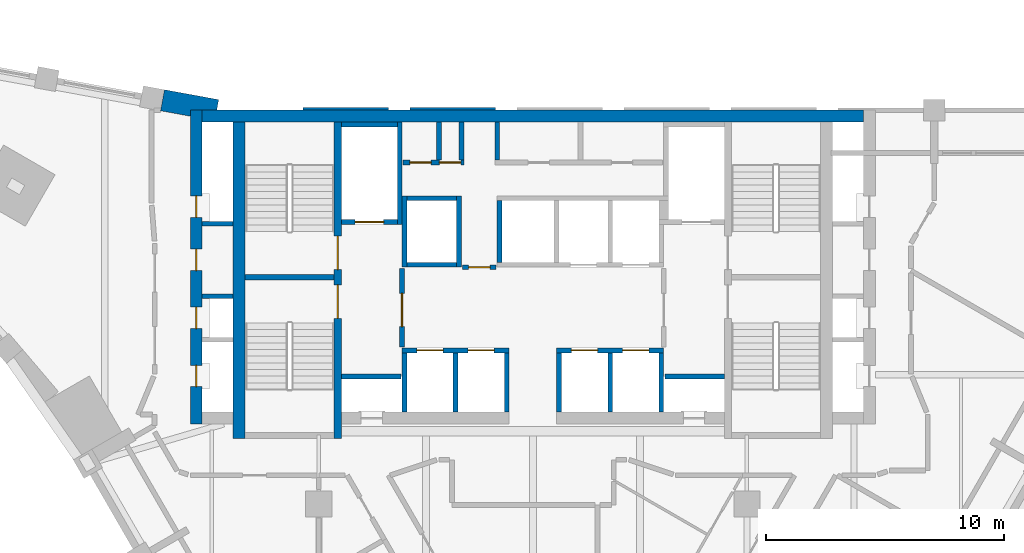
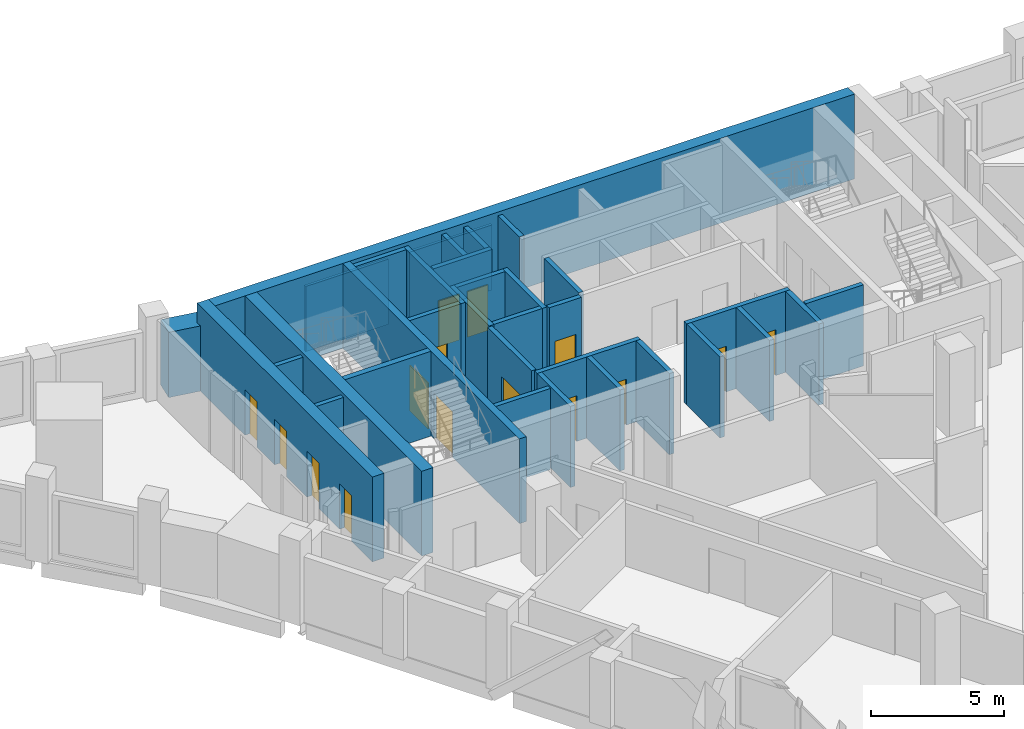
# One storey, part 6 of 9: 34 walls, 15 doors, 15 openings.
"""IFC4 building model written with IfcOpenShell, lengths in metres."""

import ifcopenshell
import ifcopenshell.guid

model = None  # the IFC model being written
_history = None  # IfcOwnerHistory: only IFC2X3 demands one
_inside = {}  # id of a spatial element -> (the spatial element, [elements in it])
_under = {}  # id of a project, library or spatial element -> (it, [spatial elements below it])
_declared = {}  # id of a project -> (the project, [libraries it declares])
_typed = {}  # id of a type object -> (the type object, [elements of that type])
_made_of = {}  # id of a material, layer set ... -> (it, [elements and type objects made of it])


def new_model(schema):
    """Start an empty IFC model of exactly this schema.

    Asked for "IFC4X3", IfcOpenShell would pick the latest addendum, in which some entities
    have other attributes; the version numbers below select the first issue.
    IFC2X3 requires an IfcOwnerHistory on every rooted entity: one is made here for all.
    """
    global model, _history
    if schema == "IFC4X3":
        model = ifcopenshell.file(schema_version=(4, 3, 0, 0))
    else:
        model = ifcopenshell.file(schema=schema)
    _inside.clear()
    _under.clear()
    _declared.clear()
    _typed.clear()
    _made_of.clear()
    _history = None
    if model.schema == "IFC2X3":
        org = make("IfcOrganization", Name="unknown")
        user = make(
            "IfcPersonAndOrganization",
            ThePerson=make("IfcPerson", FamilyName="unknown"),
            TheOrganization=org,
        )
        app = make(
            "IfcApplication",
            ApplicationDeveloper=org,
            Version="unknown",
            ApplicationFullName="unknown",
            ApplicationIdentifier="unknown",
        )
        _history = make(
            "IfcOwnerHistory",
            OwningUser=user,
            OwningApplication=app,
            ChangeAction="ADDED",
            CreationDate=0,
        )
    return model


def make(cls, **values):
    """One entity of the class cls with the attributes given. An attribute that is None is left unset."""
    return model.create_entity(
        cls, **{name: value for name, value in values.items() if value is not None}
    )


def rooted(cls, **values):
    """An entity with a GlobalId (a new one), such as an element, a storey or a relation."""
    return make(cls, GlobalId=ifcopenshell.guid.new(), OwnerHistory=_history, **values)


def si_unit(unit_type, name, prefix=None):
    """IfcSIUnit, for example si_unit("LENGTHUNIT", "METRE", prefix="MILLI")."""
    return make("IfcSIUnit", UnitType=unit_type, Prefix=prefix, Name=name)


def assignment(units):
    """IfcUnitAssignment: the units of a project."""
    return None if units is None else make("IfcUnitAssignment", Units=units)


def point(xyz):
    """IfcCartesianPoint."""
    return None if xyz is None else make("IfcCartesianPoint", Coordinates=xyz)


def direction(xyz):
    """IfcDirection."""
    return None if xyz is None else make("IfcDirection", DirectionRatios=xyz)


def frame(location, z_axis=None, x_axis=None):
    """IfcAxis2Placement3D, a coordinate frame: its origin and axes. An axis left out is left unset."""
    return make(
        "IfcAxis2Placement3D",
        Location=point(location),
        Axis=direction(z_axis),
        RefDirection=direction(x_axis),
    )


def frame_2d(location, x_axis=None):
    """IfcAxis2Placement2D, a coordinate frame in the plane: its origin and x axis."""
    return make(
        "IfcAxis2Placement2D", Location=point(location), RefDirection=direction(x_axis)
    )


def origin():
    """The frame at (0, 0, 0) with its axes left unset."""
    return frame((0.0, 0.0, 0.0))


def place(relative_to, where):
    """IfcLocalPlacement: puts the frame where relative to a parent placement (None: the world)."""
    return make(
        "IfcLocalPlacement", PlacementRelTo=relative_to, RelativePlacement=where
    )


def context(
    kind, dimensions, precision=None, world=None, true_north=None, identifier=None
):
    """IfcGeometricRepresentationContext, for example the 3D "Model" context."""
    return make(
        "IfcGeometricRepresentationContext",
        ContextIdentifier=identifier,
        ContextType=kind,
        CoordinateSpaceDimension=dimensions,
        Precision=precision,
        WorldCoordinateSystem=world,
        TrueNorth=true_north,
    )


def subcontext(parent, identifier, kind, view, scale=None):
    """IfcGeometricRepresentationSubContext, for example "Body" below "Model"."""
    return make(
        "IfcGeometricRepresentationSubContext",
        ContextIdentifier=identifier,
        ContextType=kind,
        ParentContext=parent,
        TargetScale=scale,
        TargetView=view,
    )


def project(units=None, contexts=None):
    """IfcProject with its units and contexts."""
    return rooted(
        "IfcProject",
        Name="project",
        RepresentationContexts=contexts,
        UnitsInContext=assignment(units),
    )


def spatial(cls, under=None, at=None, **own):
    """A site, building, storey or space (cls), placed at a placement, below another one or the project."""
    s = rooted(cls, ObjectPlacement=at, **own)
    if under is not None:
        _under.setdefault(under.id(), (under, []))[1].append(s)
    return s


def polyline(points):
    """IfcPolyline through the points."""
    return make("IfcPolyline", Points=[point(p) for p in points])


def profile(cls, at=None, kind="AREA", **sizes):
    """A parametric profile (cls). Its sizes go by their IFC names, for example OverallWidth=200.0."""
    return make(cls, ProfileType=kind, Position=at, **sizes)


def rectangle(**sizes):
    """IfcRectangleProfileDef."""
    return profile("IfcRectangleProfileDef", **sizes)


def outline(outer, holes=None, kind="AREA"):
    """IfcArbitraryClosedProfileDef: a profile drawn as a closed curve; with holes, ...WithVoids."""
    if holes is None:
        return make("IfcArbitraryClosedProfileDef", ProfileType=kind, OuterCurve=outer)
    return make(
        "IfcArbitraryProfileDefWithVoids",
        ProfileType=kind,
        OuterCurve=outer,
        InnerCurves=holes,
    )


def extrude(swept, where, along, depth):
    """IfcExtrudedAreaSolid: the profile swept, set in the frame where, extruded along a direction by depth."""
    return make(
        "IfcExtrudedAreaSolid",
        SweptArea=swept,
        Position=where,
        ExtrudedDirection=direction(along),
        Depth=depth,
    )


def shape(context_of_items, identifier, shape_type, items):
    """IfcShapeRepresentation: the items that make up one representation, for example the "Body"."""
    return make(
        "IfcShapeRepresentation",
        ContextOfItems=context_of_items,
        RepresentationIdentifier=identifier,
        RepresentationType=shape_type,
        Items=items,
    )


def material(Name=None, Category=None):
    """IfcMaterial."""
    return make("IfcMaterial", Name=Name, Category=Category)


def layer(
    of_material, thickness, ventilated=None, Name=None, Category=None, Priority=None
):
    """IfcMaterialLayer: one layer of a wall or slab, of a material (None: an air gap)."""
    return make(
        "IfcMaterialLayer",
        Material=of_material,
        LayerThickness=thickness,
        IsVentilated=ventilated,
        Name=Name,
        Category=Category,
        Priority=Priority,
    )


def layer_set(layers, Name=None):
    """IfcMaterialLayerSet."""
    return make("IfcMaterialLayerSet", MaterialLayers=layers, LayerSetName=Name)


def made_of(thing, what):
    """Note that an element or type object is made of a material, layer set ...; save() writes the relation."""
    if what is not None:
        _made_of.setdefault(what.id(), (what, []))[1].append(thing)
    return thing


def type_object(cls, material=None, **own):
    """A type object (cls), such as IfcWallType, which elements share."""
    return made_of(rooted(cls, **own), material)


def element(
    cls,
    number,
    at=None,
    inside=None,
    cuts=None,
    type_object=None,
    material=None,
    context=None,
    identifier="Body",
    shape_type=None,
    held_by="IfcProductDefinitionShape",
    body=None,
    shapes=None,
    **own,
):
    """One element of the class cls, such as IfcWall. Its Tag is "e" and its number.

    at: its placement. inside: the storey or other place that contains it. cuts: it is an
    opening in that element (IfcRelVoidsElement). A single representation is given by context,
    identifier, shape_type and body (its items); several are given by shapes. held_by: the class
    of the entity that holds the representations. save() writes the other relations.
    """
    e = rooted(cls, Tag="e%d" % number, ObjectPlacement=at, **own)
    if body is not None:
        shapes = [shape(context, identifier, shape_type, body)]
    if shapes is not None:
        e.Representation = make(held_by, Representations=shapes)
    if inside is not None:
        _inside.setdefault(inside.id(), (inside, []))[1].append(e)
    if cuts is not None:
        rooted(
            "IfcRelVoidsElement", RelatingBuildingElement=cuts, RelatedOpeningElement=e
        )
    if type_object is not None:
        _typed.setdefault(type_object.id(), (type_object, []))[1].append(e)
    return made_of(e, material)


def fill(opening, filler):
    """IfcRelFillsElement: the door or window that sits in an opening."""
    return rooted(
        "IfcRelFillsElement",
        RelatingOpeningElement=opening,
        RelatedBuildingElement=filler,
    )


def aggregate(whole, parts):
    """IfcRelAggregates: a whole, such as a stair, and the parts it consists of."""
    return rooted("IfcRelAggregates", RelatingObject=whole, RelatedObjects=parts)


def save(model, path):
    """Write the relations noted so far, then the file.

    IfcRelAggregates (storeys below a building ...), IfcRelContainedInSpatialStructure (elements
    in a storey), IfcRelDefinesByType, IfcRelAssociatesMaterial and IfcRelDeclares: one each for
    every whole, place, type object, material and project.
    """
    for whole, parts in _under.values():
        aggregate(whole, parts)
    for where, things in _inside.values():
        rooted(
            "IfcRelContainedInSpatialStructure",
            RelatedElements=things,
            RelatingStructure=where,
        )
    for kind, things in _typed.values():
        rooted("IfcRelDefinesByType", RelatedObjects=things, RelatingType=kind)
    for what, things in _made_of.values():
        rooted("IfcRelAssociatesMaterial", RelatedObjects=things, RelatingMaterial=what)
    for by, libraries in _declared.values():
        rooted("IfcRelDeclares", RelatingContext=by, RelatedDefinitions=libraries)
    model.write(path)


model = new_model("IFC4")

# Units and contexts
model_context = context("Model", 3, precision=1e-05, world=origin(), true_north=direction((0.0, 1.0)))
body_context = subcontext(model_context, "Body", "Model", "MODEL_VIEW")
ifc_project = project(units=[si_unit("LENGTHUNIT", "METRE"), si_unit("AREAUNIT", "SQUARE_METRE"), si_unit("VOLUMEUNIT", "CUBIC_METRE"), si_unit("PLANEANGLEUNIT", "RADIAN"), si_unit("MASSUNIT", "GRAM", prefix="KILO")], contexts=[model_context])

# Site, building, storey
site_placement = place(None, origin())
site = spatial("IfcSite", under=ifc_project, at=site_placement, CompositionType="ELEMENT")
building_placement = place(site_placement, origin())
building = spatial("IfcBuilding", under=site, at=building_placement, Name="Calabash Gate Tower", CompositionType="ELEMENT")
storey_placement = place(building_placement, frame((0.0, 0.0, 204.199951171875)))
storey = spatial("IfcBuildingStorey", under=building, at=storey_placement, Name="L48", CompositionType="ELEMENT", Elevation=204.199951171875)

# Walls
ifc_material_1 = material(Name="Terracotta brick masonry, exposed face", Category="masonry")
ifc_layer_1 = layer(ifc_material_1, 0.89990234375)
ifc_layer_set_1 = layer_set([ifc_layer_1], Name="Brick end wall 900")
wall_type_1 = type_object("IfcWallType", Name="Brick end wall 900", PredefinedType="SOLIDWALL", material=ifc_layer_set_1)
wall_1_placement = place(storey_placement, origin())
element("IfcWall", 1, at=wall_1_placement, inside=storey, type_object=wall_type_1, Name="Brick end wall S13 1", PredefinedType="SOLIDWALL", context=body_context, shape_type="SweptSolid", body=[
    extrude(outline(polyline([(-15.651611328125, 19.02734375), (-15.65185546875, 19.027099609375), (-14.39990234375, 18.798095703125), (-14.39990234375, 19.052490234375), (-13.291015625, 19.052490234375), (-13.2099609375, 19.4951171875), (-15.489501953125, 19.912353515625), (-15.6513671875, 19.02734375), (-15.651611328125, 19.02734375)])), origin(), (0.0, 0.0, 1.0), 3.0),
])
ifc_material_2 = material(Name="Gypsum board on steel studs, mineral wool", Category="steel")
ifc_layer_2 = layer(ifc_material_2, 0.199951171875)
ifc_layer_set_2 = layer_set([ifc_layer_2], Name="Core partition 200 gypsum board")
wall_type_2 = type_object("IfcWallType", Name="Core partition 200 gypsum board", PredefinedType="PARTITIONING", material=ifc_layer_set_2)
for number, where, z_axis, x_axis, name in (
    (2, (-3.949951171875, 16.95263671875, 0.0), (0.0, 0.0, 1.0), (0.0, 1.0, 0.0), "Core partition"),
    (3, (-3.0, 16.95263671875, 0.0), (0.0, 0.0, 1.0), (0.0, 1.0, 0.0), "Core partition"),
    (4, (-1.5, 16.95263671875, 0.0), (0.0, 0.0, 1.0), (0.0, 1.0, 0.0), "Core partition"),
):
    element("IfcWall", number, at=place(storey_placement, frame(where, z_axis=z_axis, x_axis=x_axis)), inside=storey, type_object=wall_type_2, Name=name, PredefinedType="PARTITIONING", context=body_context, shape_type="SweptSolid", body=[
        extrude(rectangle(XDim=1.599853515625, YDim=0.199951171875, at=frame_2d((0.7998046875, 0.0))), origin(), (0.0, 0.0, 1.0), 3.72998046875),
    ])
ifc_material_3 = material(Name="Concrete C70/85", Category="concrete")
ifc_layer_3 = layer(ifc_material_3, 0.25)
ifc_layer_set_3 = layer_set([ifc_layer_3], Name="Core wall 250 Concrete C70/85")
wall_type_3 = type_object("IfcWallType", Name="Core wall 250 Concrete C70/85", PredefinedType="SHEAR", material=ifc_layer_set_3)
wall_2_placement = place(storey_placement, frame((-12.10009765625, 12.027587890625, 0.0), z_axis=(0.0, 0.0, 1.0), x_axis=(1.0, 0.0, 0.0)))
element("IfcWall", 5, at=wall_2_placement, inside=storey, type_object=wall_type_3, Name="Core wall Z4-MIDW L48", PredefinedType="SHEAR", context=body_context, shape_type="SweptSolid", body=[
    extrude(rectangle(XDim=3.75, YDim=0.25, at=frame_2d((1.875, 0.0))), origin(), (0.0, 0.0, 1.0), 3.900146484375),
])

# Wall, openings, doors
ifc_material_4 = material(Name="Concrete C70/85", Category="concrete")
ifc_layer_4 = layer(ifc_material_4, 0.300048828125)
ifc_layer_set_4 = layer_set([ifc_layer_4], Name="Core wall 300 Concrete C70/85")
wall_type_4 = type_object("IfcWallType", Name="Core wall 300 Concrete C70/85", PredefinedType="SHEAR", material=ifc_layer_set_4)
wall_3_placement = place(storey_placement, frame((-8.199951171875, 5.252685546875, 0.0), z_axis=(0.0, 0.0, 1.0), x_axis=(0.0, 1.0, 0.0)))
wall_3 = element("IfcWall", 6, at=wall_3_placement, inside=storey, type_object=wall_type_4, Name="Core wall Z4-PARTW L48", PredefinedType="SHEAR", context=body_context, shape_type="SweptSolid", body=[
    extrude(rectangle(XDim=13.2998046875, YDim=0.300048828125, at=frame_2d((6.64990234375, 0.0))), origin(), (0.0, 0.0, 1.0), 3.900146484375),
])
opening_1_placement = place(wall_3_placement, frame((7.10009765625, 0.0, 0.0)))
opening_1 = element("IfcOpeningElement", 7, at=opening_1_placement, cuts=wall_3, Name="Opening O5-018", PredefinedType="OPENING", context=body_context, shape_type="SweptSolid", body=[
    extrude(rectangle(XDim=1.39990234375, YDim=2.10009765625, at=frame_2d((0.699951171875, 1.050048828125))), frame((0.0, 0.159912109375, 0.0), z_axis=(0.0, -1.0, 0.0), x_axis=(1.0, 0.0, 0.0)), (0.0, 0.0, 1.0), 0.320068359375),
])
opening_2_placement = place(wall_3_placement, frame((5.050048828125, 0.0, 0.0)))
opening_2 = element("IfcOpeningElement", 8, at=opening_2_placement, cuts=wall_3, Name="Opening O5-019", PredefinedType="OPENING", context=body_context, shape_type="SweptSolid", body=[
    extrude(rectangle(XDim=1.39990234375, YDim=2.10009765625, at=frame_2d((0.699951171875, 1.050048828125))), frame((0.0, 0.159912109375, 0.0), z_axis=(0.0, -1.0, 0.0), x_axis=(1.0, 0.0, 0.0)), (0.0, 0.0, 1.0), 0.320068359375),
])
ifc_material_5 = material(Name="Steel fire door set with fire-resisting glazing", Category="steel")
door_type_1 = type_object("IfcDoorType", Name="Fire door D05 1400x2100 FD90", OperationType="NOTDEFINED", PredefinedType="DOOR", material=ifc_material_5)
door_1_placement = place(opening_1_placement, origin())
door_1 = element("IfcDoor", 9, at=door_1_placement, inside=storey, type_object=door_type_1, Name="Exit stair door ST1", OperationType="SINGLE_SWING_LEFT", OverallHeight=2.10009765625, OverallWidth=1.39990234375, PredefinedType="DOOR", context=body_context, shape_type="SweptSolid", body=[
    extrude(rectangle(XDim=1.39990234375, YDim=2.10009765625, at=frame_2d((0.699951171875, 1.050048828125))), frame((0.0, 0.02490234375, 0.0), z_axis=(0.0, -1.0, 0.0), x_axis=(1.0, 0.0, 0.0)), (0.0, 0.0, 1.0), 0.050048828125),
])
fill(opening_1, door_1)
door_2_placement = place(opening_2_placement, origin())
door_2 = element("IfcDoor", 10, at=door_2_placement, inside=storey, type_object=door_type_1, Name="Exit stair door ST2", OperationType="SINGLE_SWING_LEFT", OverallHeight=2.10009765625, OverallWidth=1.39990234375, PredefinedType="DOOR", context=body_context, shape_type="SweptSolid", body=[
    extrude(rectangle(XDim=1.39990234375, YDim=2.10009765625, at=frame_2d((0.699951171875, 1.050048828125))), frame((0.0, 0.02490234375, 0.0), z_axis=(0.0, -1.0, 0.0), x_axis=(1.0, 0.0, 0.0)), (0.0, 0.0, 1.0), 0.050048828125),
])
fill(opening_2, door_2)

# Walls
ifc_material_6 = material(Name="Concrete C70/85", Category="concrete")
ifc_layer_5 = layer(ifc_material_6, 0.5)
ifc_layer_set_5 = layer_set([ifc_layer_5], Name="Core wall 500 Concrete C70/85")
wall_type_5 = type_object("IfcWallType", Name="Core wall 500 Concrete C70/85", PredefinedType="SHEAR", material=ifc_layer_set_5)
wall_4_placement = place(storey_placement, frame((-13.89990234375, 18.802490234375, 0.0), z_axis=(0.0, 0.0, 1.0), x_axis=(1.0, 0.0, 0.0)))
element("IfcWall", 11, at=wall_4_placement, inside=storey, type_object=wall_type_5, Name="Core wall Z4-N L48", PredefinedType="SHEAR", context=body_context, shape_type="SweptSolid", body=[
    extrude(rectangle(XDim=27.7998046875, YDim=0.5, at=frame_2d((13.89990234375, 0.0))), origin(), (0.0, 0.0, 1.0), 3.900146484375),
])
wall_5_placement = place(storey_placement, frame((-12.35009765625, 5.252685546875, 0.0), z_axis=(0.0, 0.0, 1.0), x_axis=(0.0, 1.0, 0.0)))
element("IfcWall", 12, at=wall_5_placement, inside=storey, type_object=wall_type_5, Name="Core wall Z4-COLW L48", PredefinedType="SHEAR", context=body_context, shape_type="SweptSolid", body=[
    extrude(rectangle(XDim=13.2998046875, YDim=0.5, at=frame_2d((6.64990234375, 0.0))), origin(), (0.0, 0.0, 1.0), 3.900146484375),
])

# Wall, openings, doors
wall_6_placement = place(storey_placement, frame((-14.14990234375, 5.8525390625, 0.0), z_axis=(0.0, 0.0, 1.0), x_axis=(0.0, 1.0, 0.0)))
wall_6 = element("IfcWall", 13, at=wall_6_placement, inside=storey, type_object=wall_type_5, Name="Core wall Z4-ENDW L48", PredefinedType="SHEAR", context=body_context, shape_type="SweptSolid", body=[
    extrude(rectangle(XDim=13.199951171875, YDim=0.5, at=frame_2d((6.60009765625, 0.0))), origin(), (0.0, 0.0, 1.0), 3.900146484375),
])
opening_3_placement = place(wall_6_placement, frame((1.574951171875, 0.0, 0.0)))
opening_3 = element("IfcOpeningElement", 14, at=opening_3_placement, cuts=wall_6, Name="Opening O5-005", PredefinedType="OPENING", context=body_context, shape_type="SweptSolid", body=[
    extrude(rectangle(XDim=0.89990234375, YDim=2.10009765625, at=frame_2d((0.449951171875, 1.050048828125))), frame((0.0, 0.260009765625, 0.0), z_axis=(0.0, -1.0, 0.0), x_axis=(1.0, 0.0, 0.0)), (0.0, 0.0, 1.0), 0.52001953125),
])
opening_4_placement = place(wall_6_placement, frame((4.014892578125, 0.0, 0.0)))
opening_4 = element("IfcOpeningElement", 15, at=opening_4_placement, cuts=wall_6, Name="Opening O5-006", PredefinedType="OPENING", context=body_context, shape_type="SweptSolid", body=[
    extrude(rectangle(XDim=0.89990234375, YDim=2.10009765625, at=frame_2d((0.449951171875, 1.050048828125))), frame((0.0, 0.260009765625, 0.0), z_axis=(0.0, -1.0, 0.0), x_axis=(1.0, 0.0, 0.0)), (0.0, 0.0, 1.0), 0.52001953125),
])
opening_5_placement = place(wall_6_placement, frame((6.455078125, 0.0, 0.0)))
opening_5 = element("IfcOpeningElement", 16, at=opening_5_placement, cuts=wall_6, Name="Opening O5-007", PredefinedType="OPENING", context=body_context, shape_type="SweptSolid", body=[
    extrude(rectangle(XDim=0.89990234375, YDim=2.10009765625, at=frame_2d((0.449951171875, 1.050048828125))), frame((0.0, 0.260009765625, 0.0), z_axis=(0.0, -1.0, 0.0), x_axis=(1.0, 0.0, 0.0)), (0.0, 0.0, 1.0), 0.52001953125),
])
opening_6_placement = place(wall_6_placement, frame((8.697509765625, 0.0, 0.0)))
opening_6 = element("IfcOpeningElement", 17, at=opening_6_placement, cuts=wall_6, Name="Opening O5-008", PredefinedType="OPENING", context=body_context, shape_type="SweptSolid", body=[
    extrude(rectangle(XDim=0.89990234375, YDim=2.10009765625, at=frame_2d((0.449951171875, 1.050048828125))), frame((0.0, 0.260009765625, 0.0), z_axis=(0.0, -1.0, 0.0), x_axis=(1.0, 0.0, 0.0)), (0.0, 0.0, 1.0), 0.52001953125),
])
ifc_material_7 = material(Name="Steel fire door set with fire-resisting glazing", Category="steel")
door_type_2 = type_object("IfcDoorType", Name="Fire door D06 900x2100 FD60", OperationType="NOTDEFINED", PredefinedType="DOOR", material=ifc_material_7)
door_3_placement = place(opening_3_placement, origin())
door_3 = element("IfcDoor", 18, at=door_3_placement, inside=storey, type_object=door_type_2, Name="Electrical Riser door", OperationType="SINGLE_SWING_LEFT", OverallHeight=2.10009765625, OverallWidth=0.89990234375, PredefinedType="DOOR", context=body_context, shape_type="SweptSolid", body=[
    extrude(rectangle(XDim=0.89990234375, YDim=2.10009765625, at=frame_2d((0.449951171875, 1.050048828125))), frame((0.0, 0.02490234375, 0.0), z_axis=(0.0, -1.0, 0.0), x_axis=(1.0, 0.0, 0.0)), (0.0, 0.0, 1.0), 0.050048828125),
])
fill(opening_3, door_3)
door_4_placement = place(opening_4_placement, origin())
door_4 = element("IfcDoor", 19, at=door_4_placement, inside=storey, type_object=door_type_2, Name="Comms Riser door", OperationType="SINGLE_SWING_LEFT", OverallHeight=2.10009765625, OverallWidth=0.89990234375, PredefinedType="DOOR", context=body_context, shape_type="SweptSolid", body=[
    extrude(rectangle(XDim=0.89990234375, YDim=2.10009765625, at=frame_2d((0.449951171875, 1.050048828125))), frame((0.0, 0.02490234375, 0.0), z_axis=(0.0, -1.0, 0.0), x_axis=(1.0, 0.0, 0.0)), (0.0, 0.0, 1.0), 0.050048828125),
])
fill(opening_4, door_4)
door_5_placement = place(opening_5_placement, origin())
door_5 = element("IfcDoor", 20, at=door_5_placement, inside=storey, type_object=door_type_2, Name="Cleaner's Store door", OperationType="SINGLE_SWING_LEFT", OverallHeight=2.10009765625, OverallWidth=0.89990234375, PredefinedType="DOOR", context=body_context, shape_type="SweptSolid", body=[
    extrude(rectangle(XDim=0.89990234375, YDim=2.10009765625, at=frame_2d((0.449951171875, 1.050048828125))), frame((0.0, 0.02490234375, 0.0), z_axis=(0.0, -1.0, 0.0), x_axis=(1.0, 0.0, 0.0)), (0.0, 0.0, 1.0), 0.050048828125),
])
fill(opening_5, door_5)
door_6_placement = place(opening_6_placement, origin())
door_6 = element("IfcDoor", 21, at=door_6_placement, inside=storey, type_object=door_type_2, Name="Duct Riser door", OperationType="SINGLE_SWING_LEFT", OverallHeight=2.10009765625, OverallWidth=0.89990234375, PredefinedType="DOOR", context=body_context, shape_type="SweptSolid", body=[
    extrude(rectangle(XDim=0.89990234375, YDim=2.10009765625, at=frame_2d((0.449951171875, 1.050048828125))), frame((0.0, 0.02490234375, 0.0), z_axis=(0.0, -1.0, 0.0), x_axis=(1.0, 0.0, 0.0)), (0.0, 0.0, 1.0), 0.050048828125),
])
fill(opening_6, door_6)

# Walls
ifc_material_8 = material(Name="Concrete C40/50", Category="concrete")
ifc_layer_6 = layer(ifc_material_8, 0.199951171875)
ifc_layer_set_6 = layer_set([ifc_layer_6], Name="Shaft wall 200 Concrete C40/50")
wall_type_6 = type_object("IfcWallType", Name="Shaft wall 200 Concrete C40/50", PredefinedType="SOLIDWALL", material=ifc_layer_set_6)
for number, where, z_axis, x_axis, name in (
    (22, (-5.39990234375, 6.3525390625, 0.0), (0.0, 0.0, 1.0), (0.0, 1.0, 0.0), "Shaft wall"),
    (23, (-3.25, 6.3525390625, 0.0), (0.0, 0.0, 1.0), (0.0, 1.0, 0.0), "Shaft wall"),
    (24, (-1.10009765625, 6.3525390625, 0.0), (0.0, 0.0, 1.0), (0.0, 1.0, 0.0), "Shaft wall"),
    (25, (1.10009765625, 6.3525390625, 0.0), (0.0, 0.0, 1.0), (0.0, 1.0, 0.0), "Shaft wall"),
    (26, (3.25, 6.3525390625, 0.0), (0.0, 0.0, 1.0), (0.0, 1.0, 0.0), "Shaft wall"),
    (27, (5.39990234375, 6.3525390625, 0.0), (0.0, 0.0, 1.0), (0.0, 1.0, 0.0), "Shaft wall"),
    (28, (-8.050048828125, 7.8525390625, 0.0), (0.0, 0.0, 1.0), (1.0, 0.0, 0.0), "Shaft wall"),
    (29, (5.550048828125, 7.8525390625, 0.0), (0.0, 0.0, 1.0), (1.0, 0.0, 0.0), "Shaft wall"),
):
    element("IfcWall", number, at=place(storey_placement, frame(where, z_axis=z_axis, x_axis=x_axis)), inside=storey, type_object=wall_type_6, Name=name, PredefinedType="SOLIDWALL", context=body_context, shape_type="SweptSolid", body=[
        extrude(rectangle(XDim=2.5, YDim=0.199951171875, at=frame_2d((1.25, 0.0))), origin(), (0.0, 0.0, 1.0), 3.72998046875),
    ])

# Wall, openings, doors
wall_7_placement = place(storey_placement, frame((-5.5, 8.95263671875, 0.0), z_axis=(0.0, 0.0, 1.0), x_axis=(1.0, 0.0, 0.0)))
wall_7 = element("IfcWall", 30, at=wall_7_placement, inside=storey, type_object=wall_type_6, Name="Shaft wall", PredefinedType="SOLIDWALL", context=body_context, shape_type="SweptSolid", body=[
    extrude(rectangle(XDim=4.5, YDim=0.199951171875, at=frame_2d((2.25, 0.0))), origin(), (0.0, 0.0, 1.0), 3.72998046875),
])
opening_7_placement = place(wall_7_placement, frame((0.625, 0.0, 0.0)))
opening_7 = element("IfcOpeningElement", 31, at=opening_7_placement, cuts=wall_7, Name="Opening LD-HR1", PredefinedType="OPENING", context=body_context, shape_type="SweptSolid", body=[
    extrude(rectangle(XDim=1.10009765625, YDim=2.10009765625, at=frame_2d((0.550048828125, 1.050048828125))), frame((0.0, 0.10986328125, 0.0), z_axis=(0.0, -1.0, 0.0), x_axis=(1.0, 0.0, 0.0)), (0.0, 0.0, 1.0), 0.219970703125),
])
opening_8_placement = place(wall_7_placement, frame((2.77490234375, 0.0, 0.0)))
opening_8 = element("IfcOpeningElement", 32, at=opening_8_placement, cuts=wall_7, Name="Opening LD-HR2", PredefinedType="OPENING", context=body_context, shape_type="SweptSolid", body=[
    extrude(rectangle(XDim=1.10009765625, YDim=2.10009765625, at=frame_2d((0.550048828125, 1.050048828125))), frame((0.0, 0.10986328125, 0.0), z_axis=(0.0, -1.0, 0.0), x_axis=(1.0, 0.0, 0.0)), (0.0, 0.0, 1.0), 0.219970703125),
])
ifc_material_9 = material(Name="Stainless steel sliding door leaves", Category="steel")
door_type_3 = type_object("IfcDoorType", Name="Lift landing door LS1 1100x2100 FD90", OperationType="DOUBLE_DOOR_SLIDING", PredefinedType="DOOR", material=ifc_material_9)
door_7_placement = place(opening_7_placement, origin())
door_7 = element("IfcDoor", 33, at=door_7_placement, inside=storey, type_object=door_type_3, Name="Lift landing door HR1", OperationType="DOUBLE_DOOR_SLIDING", OverallHeight=2.10009765625, OverallWidth=1.10009765625, PredefinedType="DOOR", context=body_context, shape_type="SweptSolid", body=[
    extrude(rectangle(XDim=1.10009765625, YDim=2.10009765625, at=frame_2d((0.550048828125, 1.050048828125))), frame((0.0, 0.02490234375, 0.0), z_axis=(0.0, -1.0, 0.0), x_axis=(1.0, 0.0, 0.0)), (0.0, 0.0, 1.0), 0.050048828125),
])
fill(opening_7, door_7)
door_8_placement = place(opening_8_placement, origin())
door_8 = element("IfcDoor", 34, at=door_8_placement, inside=storey, type_object=door_type_3, Name="Lift landing door HR2", OperationType="DOUBLE_DOOR_SLIDING", OverallHeight=2.10009765625, OverallWidth=1.10009765625, PredefinedType="DOOR", context=body_context, shape_type="SweptSolid", body=[
    extrude(rectangle(XDim=1.10009765625, YDim=2.10009765625, at=frame_2d((0.550048828125, 1.050048828125))), frame((0.0, 0.02490234375, 0.0), z_axis=(0.0, -1.0, 0.0), x_axis=(1.0, 0.0, 0.0)), (0.0, 0.0, 1.0), 0.050048828125),
])
fill(opening_8, door_8)

wall_8_placement = place(storey_placement, frame((1.0, 8.95263671875, 0.0), z_axis=(0.0, 0.0, 1.0), x_axis=(1.0, 0.0, 0.0)))
wall_8 = element("IfcWall", 35, at=wall_8_placement, inside=storey, type_object=wall_type_6, Name="Shaft wall", PredefinedType="SOLIDWALL", context=body_context, shape_type="SweptSolid", body=[
    extrude(rectangle(XDim=4.5, YDim=0.199951171875, at=frame_2d((2.25, 0.0))), origin(), (0.0, 0.0, 1.0), 3.72998046875),
])
opening_9_placement = place(wall_8_placement, frame((0.625, 0.0, 0.0)))
opening_9 = element("IfcOpeningElement", 36, at=opening_9_placement, cuts=wall_8, Name="Opening LD-HR3", PredefinedType="OPENING", context=body_context, shape_type="SweptSolid", body=[
    extrude(rectangle(XDim=1.10009765625, YDim=2.10009765625, at=frame_2d((0.550048828125, 1.050048828125))), frame((0.0, 0.10986328125, 0.0), z_axis=(0.0, -1.0, 0.0), x_axis=(1.0, 0.0, 0.0)), (0.0, 0.0, 1.0), 0.219970703125),
])
opening_10_placement = place(wall_8_placement, frame((2.77490234375, 0.0, 0.0)))
opening_10 = element("IfcOpeningElement", 37, at=opening_10_placement, cuts=wall_8, Name="Opening LD-HR4", PredefinedType="OPENING", context=body_context, shape_type="SweptSolid", body=[
    extrude(rectangle(XDim=1.10009765625, YDim=2.10009765625, at=frame_2d((0.550048828125, 1.050048828125))), frame((0.0, 0.10986328125, 0.0), z_axis=(0.0, -1.0, 0.0), x_axis=(1.0, 0.0, 0.0)), (0.0, 0.0, 1.0), 0.219970703125),
])
door_9_placement = place(opening_9_placement, origin())
door_9 = element("IfcDoor", 38, at=door_9_placement, inside=storey, type_object=door_type_3, Name="Lift landing door HR3", OperationType="DOUBLE_DOOR_SLIDING", OverallHeight=2.10009765625, OverallWidth=1.10009765625, PredefinedType="DOOR", context=body_context, shape_type="SweptSolid", body=[
    extrude(rectangle(XDim=1.10009765625, YDim=2.10009765625, at=frame_2d((0.550048828125, 1.050048828125))), frame((0.0, 0.02490234375, 0.0), z_axis=(0.0, -1.0, 0.0), x_axis=(1.0, 0.0, 0.0)), (0.0, 0.0, 1.0), 0.050048828125),
])
fill(opening_9, door_9)
door_10_placement = place(opening_10_placement, origin())
door_10 = element("IfcDoor", 39, at=door_10_placement, inside=storey, type_object=door_type_3, Name="Lift landing door HR4", OperationType="DOUBLE_DOOR_SLIDING", OverallHeight=2.10009765625, OverallWidth=1.10009765625, PredefinedType="DOOR", context=body_context, shape_type="SweptSolid", body=[
    extrude(rectangle(XDim=1.10009765625, YDim=2.10009765625, at=frame_2d((0.550048828125, 1.050048828125))), frame((0.0, 0.02490234375, 0.0), z_axis=(0.0, -1.0, 0.0), x_axis=(1.0, 0.0, 0.0)), (0.0, 0.0, 1.0), 0.050048828125),
])
fill(opening_10, door_10)

# Wall, opening, door
wall_9_placement = place(storey_placement, frame((-5.5, 9.1025390625, 0.0), z_axis=(0.0, 0.0, 1.0), x_axis=(0.0, 1.0, 0.0)))
wall_9 = element("IfcWall", 40, at=wall_9_placement, inside=storey, type_object=wall_type_6, Name="Shaft wall", PredefinedType="SOLIDWALL", context=body_context, shape_type="SweptSolid", body=[
    extrude(rectangle(XDim=3.300048828125, YDim=0.199951171875, at=frame_2d((1.64990234375, 0.0))), origin(), (0.0, 0.0, 1.0), 3.72998046875),
])
opening_11_placement = place(wall_9_placement, frame((0.85009765625, 0.0, 0.0)))
opening_11 = element("IfcOpeningElement", 41, at=opening_11_placement, cuts=wall_9, Name="Opening O5-011", PredefinedType="OPENING", context=body_context, shape_type="SweptSolid", body=[
    extrude(rectangle(XDim=1.39990234375, YDim=2.10009765625, at=frame_2d((0.699951171875, 1.050048828125))), frame((0.0, 0.10986328125, 0.0), z_axis=(0.0, -1.0, 0.0), x_axis=(1.0, 0.0, 0.0)), (0.0, 0.0, 1.0), 0.219970703125),
])
door_11_placement = place(opening_11_placement, origin())
door_11 = element("IfcDoor", 42, at=door_11_placement, inside=storey, type_object=door_type_1, Name="Firefighting Lobby W door", OperationType="SINGLE_SWING_RIGHT", OverallHeight=2.10009765625, OverallWidth=1.39990234375, PredefinedType="DOOR", context=body_context, shape_type="SweptSolid", body=[
    extrude(rectangle(XDim=1.39990234375, YDim=2.10009765625, at=frame_2d((0.699951171875, 1.050048828125))), frame((0.0, 0.02490234375, 0.0), z_axis=(0.0, -1.0, 0.0), x_axis=(1.0, 0.0, 0.0)), (0.0, 0.0, 1.0), 0.050048828125),
])
fill(opening_11, door_11)

# Wall
wall_10_placement = place(storey_placement, frame((-13.89990234375, 11.232666015625, 0.0), z_axis=(0.0, 0.0, 1.0), x_axis=(1.0, 0.0, 0.0)))
element("IfcWall", 43, at=wall_10_placement, inside=storey, type_object=wall_type_6, Name="Shaft wall", PredefinedType="SOLIDWALL", context=body_context, shape_type="SweptSolid", body=[
    extrude(rectangle(XDim=1.2998046875, YDim=0.199951171875, at=frame_2d((0.64990234375, 0.0))), origin(), (0.0, 0.0, 1.0), 3.72998046875),
])

# Wall, opening, door
wall_11_placement = place(storey_placement, frame((-2.949951171875, 12.45263671875, 0.0), z_axis=(0.0, 0.0, 1.0), x_axis=(1.0, 0.0, 0.0)))
wall_11 = element("IfcWall", 44, at=wall_11_placement, inside=storey, type_object=wall_type_6, Name="Shaft wall", PredefinedType="SOLIDWALL", context=body_context, shape_type="SweptSolid", body=[
    extrude(rectangle(XDim=1.39990234375, YDim=0.199951171875, at=frame_2d((0.699951171875, 0.0))), origin(), (0.0, 0.0, 1.0), 3.72998046875),
])
opening_12_placement = place(wall_11_placement, frame((0.25, 0.0, 0.0)))
opening_12 = element("IfcOpeningElement", 45, at=opening_12_placement, cuts=wall_11, Name="Opening O5-009", PredefinedType="OPENING", context=body_context, shape_type="SweptSolid", body=[
    extrude(rectangle(XDim=0.89990234375, YDim=2.10009765625, at=frame_2d((0.449951171875, 1.050048828125))), frame((0.0, 0.10986328125, 0.0), z_axis=(0.0, -1.0, 0.0), x_axis=(1.0, 0.0, 0.0)), (0.0, 0.0, 1.0), 0.219970703125),
])
door_12_placement = place(opening_12_placement, origin())
door_12 = element("IfcDoor", 46, at=door_12_placement, inside=storey, type_object=door_type_2, Name="Service Corridor door", OperationType="SINGLE_SWING_RIGHT", OverallHeight=2.10009765625, OverallWidth=0.89990234375, PredefinedType="DOOR", context=body_context, shape_type="SweptSolid", body=[
    extrude(rectangle(XDim=0.89990234375, YDim=2.10009765625, at=frame_2d((0.449951171875, 1.050048828125))), frame((0.0, 0.02490234375, 0.0), z_axis=(0.0, -1.0, 0.0), x_axis=(1.0, 0.0, 0.0)), (0.0, 0.0, 1.0), 0.050048828125),
])
fill(opening_12, door_12)

# Walls
wall_12_placement = place(storey_placement, frame((-5.39990234375, 12.45263671875, 0.0), z_axis=(0.0, 0.0, 1.0), x_axis=(0.0, 1.0, 0.0)))
element("IfcWall", 47, at=wall_12_placement, inside=storey, type_object=wall_type_6, Name="Shaft wall", PredefinedType="SOLIDWALL", context=body_context, shape_type="SweptSolid", body=[
    extrude(rectangle(XDim=3.0, YDim=0.199951171875, at=frame_2d((1.5, 0.0))), origin(), (0.0, 0.0, 1.0), 3.72998046875),
])
wall_13_placement = place(storey_placement, frame((-5.300048828125, 12.552490234375, 0.0), z_axis=(0.0, 0.0, 1.0), x_axis=(1.0, 0.0, 0.0)))
element("IfcWall", 48, at=wall_13_placement, inside=storey, type_object=wall_type_6, Name="Shaft wall", PredefinedType="SOLIDWALL", context=body_context, shape_type="SweptSolid", body=[
    extrude(rectangle(XDim=2.10009765625, YDim=0.199951171875, at=frame_2d((1.050048828125, 0.0))), origin(), (0.0, 0.0, 1.0), 3.72998046875),
])
wall_14_placement = place(storey_placement, frame((-3.10009765625, 12.45263671875, 0.0), z_axis=(0.0, 0.0, 1.0), x_axis=(0.0, 1.0, 0.0)))
element("IfcWall", 49, at=wall_14_placement, inside=storey, type_object=wall_type_6, Name="Shaft wall", PredefinedType="SOLIDWALL", context=body_context, shape_type="SweptSolid", body=[
    extrude(rectangle(XDim=3.0, YDim=0.199951171875, at=frame_2d((1.5, 0.0))), origin(), (0.0, 0.0, 1.0), 3.72998046875),
])
wall_15_placement = place(storey_placement, frame((-1.39990234375, 12.652587890625, 0.0), z_axis=(0.0, 0.0, 1.0), x_axis=(0.0, 1.0, 0.0)))
element("IfcWall", 50, at=wall_15_placement, inside=storey, type_object=wall_type_6, Name="Shaft wall", PredefinedType="SOLIDWALL", context=body_context, shape_type="SweptSolid", body=[
    extrude(rectangle(XDim=2.60009765625, YDim=0.199951171875, at=frame_2d((1.300048828125, 0.0))), origin(), (0.0, 0.0, 1.0), 3.72998046875),
])
wall_16_placement = place(storey_placement, frame((-13.89990234375, 14.28271484375, 0.0), z_axis=(0.0, 0.0, 1.0), x_axis=(1.0, 0.0, 0.0)))
element("IfcWall", 51, at=wall_16_placement, inside=storey, type_object=wall_type_6, Name="Shaft wall", PredefinedType="SOLIDWALL", context=body_context, shape_type="SweptSolid", body=[
    extrude(rectangle(XDim=1.2998046875, YDim=0.199951171875, at=frame_2d((0.64990234375, 0.0))), origin(), (0.0, 0.0, 1.0), 3.72998046875),
])

# Wall, opening, door
wall_17_placement = place(storey_placement, frame((-8.050048828125, 14.3525390625, 0.0), z_axis=(0.0, 0.0, 1.0), x_axis=(1.0, 0.0, 0.0)))
wall_17 = element("IfcWall", 52, at=wall_17_placement, inside=storey, type_object=wall_type_6, Name="Shaft wall", PredefinedType="SOLIDWALL", context=body_context, shape_type="SweptSolid", body=[
    extrude(rectangle(XDim=2.35009765625, YDim=0.199951171875, at=frame_2d((1.175048828125, 0.0))), origin(), (0.0, 0.0, 1.0), 3.72998046875),
])
opening_13_placement = place(wall_17_placement, frame((0.574951171875, 0.0, 0.0)))
opening_13 = element("IfcOpeningElement", 53, at=opening_13_placement, cuts=wall_17, Name="Opening LD-FF1", PredefinedType="OPENING", context=body_context, shape_type="SweptSolid", body=[
    extrude(rectangle(XDim=1.199951171875, YDim=2.10009765625, at=frame_2d((0.60009765625, 1.050048828125))), frame((0.0, 0.10986328125, 0.0), z_axis=(0.0, -1.0, 0.0), x_axis=(1.0, 0.0, 0.0)), (0.0, 0.0, 1.0), 0.219970703125),
])
ifc_material_10 = material(Name="Stainless steel sliding door leaves", Category="steel")
door_type_4 = type_object("IfcDoorType", Name="Lift landing door LS3 1200x2100 FD90", OperationType="DOUBLE_DOOR_SLIDING", PredefinedType="DOOR", material=ifc_material_10)
door_13_placement = place(opening_13_placement, origin())
door_13 = element("IfcDoor", 54, at=door_13_placement, inside=storey, type_object=door_type_4, Name="Lift landing door FF1", OperationType="DOUBLE_DOOR_SLIDING", OverallHeight=2.10009765625, OverallWidth=1.199951171875, PredefinedType="DOOR", context=body_context, shape_type="SweptSolid", body=[
    extrude(rectangle(XDim=1.199951171875, YDim=2.10009765625, at=frame_2d((0.60009765625, 1.050048828125))), frame((0.0, 0.02490234375, 0.0), z_axis=(0.0, -1.0, 0.0), x_axis=(1.0, 0.0, 0.0)), (0.0, 0.0, 1.0), 0.050048828125),
])
fill(opening_13, door_13)

# Walls
wall_18_placement = place(storey_placement, frame((-5.60009765625, 14.252685546875, 0.0), z_axis=(0.0, 0.0, 1.0), x_axis=(0.0, 1.0, 0.0)))
element("IfcWall", 55, at=wall_18_placement, inside=storey, type_object=wall_type_6, Name="Shaft wall", PredefinedType="SOLIDWALL", context=body_context, shape_type="SweptSolid", body=[
    extrude(rectangle(XDim=4.2998046875, YDim=0.199951171875, at=frame_2d((2.14990234375, 0.0))), origin(), (0.0, 0.0, 1.0), 3.72998046875),
])
wall_19_placement = place(storey_placement, frame((-5.300048828125, 15.3525390625, 0.0), z_axis=(0.0, 0.0, 1.0), x_axis=(1.0, 0.0, 0.0)))
element("IfcWall", 56, at=wall_19_placement, inside=storey, type_object=wall_type_6, Name="Shaft wall", PredefinedType="SOLIDWALL", context=body_context, shape_type="SweptSolid", body=[
    extrude(rectangle(XDim=2.10009765625, YDim=0.199951171875, at=frame_2d((1.050048828125, 0.0))), origin(), (0.0, 0.0, 1.0), 3.72998046875),
])

# Wall, openings, doors
wall_20_placement = place(storey_placement, frame((-5.449951171875, 16.8525390625, 0.0), z_axis=(0.0, 0.0, 1.0), x_axis=(1.0, 0.0, 0.0)))
wall_20 = element("IfcWall", 57, at=wall_20_placement, inside=storey, type_object=wall_type_6, Name="Shaft wall", PredefinedType="SOLIDWALL", context=body_context, shape_type="SweptSolid", body=[
    extrude(rectangle(XDim=2.550048828125, YDim=0.199951171875, at=frame_2d((1.27490234375, 0.0))), origin(), (0.0, 0.0, 1.0), 3.72998046875),
])
opening_14_placement = place(wall_20_placement, frame((0.27490234375, 0.0, 0.0)))
opening_14 = element("IfcOpeningElement", 58, at=opening_14_placement, cuts=wall_20, Name="Opening O5-012", PredefinedType="OPENING", context=body_context, shape_type="SweptSolid", body=[
    extrude(rectangle(XDim=0.89990234375, YDim=2.10009765625, at=frame_2d((0.449951171875, 1.050048828125))), frame((0.0, 0.10986328125, 0.0), z_axis=(0.0, -1.0, 0.0), x_axis=(1.0, 0.0, 0.0)), (0.0, 0.0, 1.0), 0.219970703125),
])
opening_15_placement = place(wall_20_placement, frame((1.52490234375, 0.0, 0.0)))
opening_15 = element("IfcOpeningElement", 59, at=opening_15_placement, cuts=wall_20, Name="Opening O5-013", PredefinedType="OPENING", context=body_context, shape_type="SweptSolid", body=[
    extrude(rectangle(XDim=0.89990234375, YDim=2.10009765625, at=frame_2d((0.449951171875, 1.050048828125))), frame((0.0, 0.10986328125, 0.0), z_axis=(0.0, -1.0, 0.0), x_axis=(1.0, 0.0, 0.0)), (0.0, 0.0, 1.0), 0.219970703125),
])
door_14_placement = place(opening_14_placement, origin())
door_14 = element("IfcDoor", 60, at=door_14_placement, inside=storey, type_object=door_type_2, Name="Accessible WC door", OperationType="SINGLE_SWING_LEFT", OverallHeight=2.10009765625, OverallWidth=0.89990234375, PredefinedType="DOOR", context=body_context, shape_type="SweptSolid", body=[
    extrude(rectangle(XDim=0.89990234375, YDim=2.10009765625, at=frame_2d((0.449951171875, 1.050048828125))), frame((0.0, 0.02490234375, 0.0), z_axis=(0.0, -1.0, 0.0), x_axis=(1.0, 0.0, 0.0)), (0.0, 0.0, 1.0), 0.050048828125),
])
fill(opening_14, door_14)
door_15_placement = place(opening_15_placement, origin())
door_15 = element("IfcDoor", 61, at=door_15_placement, inside=storey, type_object=door_type_2, Name="Cleaner's Store door", OperationType="SINGLE_SWING_LEFT", OverallHeight=2.10009765625, OverallWidth=0.89990234375, PredefinedType="DOOR", context=body_context, shape_type="SweptSolid", body=[
    extrude(rectangle(XDim=0.89990234375, YDim=2.10009765625, at=frame_2d((0.449951171875, 1.050048828125))), frame((0.0, 0.02490234375, 0.0), z_axis=(0.0, -1.0, 0.0), x_axis=(1.0, 0.0, 0.0)), (0.0, 0.0, 1.0), 0.050048828125),
])
fill(opening_15, door_15)

# Walls
wall_21_placement = place(storey_placement, frame((-8.050048828125, 18.45263671875, 0.0), z_axis=(0.0, 0.0, 1.0), x_axis=(1.0, 0.0, 0.0)))
element("IfcWall", 62, at=wall_21_placement, inside=storey, type_object=wall_type_6, Name="Shaft wall", PredefinedType="SOLIDWALL", context=body_context, shape_type="SweptSolid", body=[
    extrude(rectangle(XDim=2.35009765625, YDim=0.199951171875, at=frame_2d((1.175048828125, 0.0))), origin(), (0.0, 0.0, 1.0), 3.72998046875),
])
ifc_material_11 = material(Name="Terracotta brick masonry, perforated", Category="masonry")
ifc_layer_7 = layer(ifc_material_11, 0.1201171875)
ifc_layer_set_7 = layer_set([ifc_layer_7], Name="Terracotta jaali cladding A 120")
wall_type_7 = type_object("IfcWallType", Name="Terracotta jaali cladding A 120", PredefinedType="SOLIDWALL", material=ifc_layer_set_7)
wall_22_placement = place(storey_placement, origin())
element("IfcWall", 63, at=wall_22_placement, inside=storey, type_object=wall_type_7, Name="Jaali cladding S13 N4.7", PredefinedType="SOLIDWALL", context=body_context, shape_type="SweptSolid", body=[
    extrude(outline(polyline([(-9.672119140625, 19.172607421875), (-9.672119140625, 19.052490234375), (-6.072265625, 19.052490234375), (-6.072265625, 19.172607421875), (-9.672119140625, 19.172607421875)])), origin(), (0.0, 0.0, 1.0), 3.0),
])
ifc_material_12 = material(Name="Terracotta louvre blades in an aluminium frame", Category="masonry")
ifc_layer_8 = layer(ifc_material_12, 0.1201171875)
ifc_layer_set_8 = layer_set([ifc_layer_8], Name="Terracotta vent louvre cladding 120")
wall_type_8 = type_object("IfcWallType", Name="Terracotta vent louvre cladding 120", PredefinedType="ELEMENTEDWALL", material=ifc_layer_set_8)
wall_23_placement = place(storey_placement, origin())
element("IfcWall", 64, at=wall_23_placement, inside=storey, type_object=wall_type_8, Name="Vent louvre cladding S13 N4.6", PredefinedType="ELEMENTEDWALL", context=body_context, shape_type="SweptSolid", body=[
    extrude(outline(polyline([(-5.172119140625, 19.172607421875), (-5.172119140625, 19.052490234375), (-1.572265625, 19.052490234375), (-1.572265625, 19.172607421875), (-5.172119140625, 19.172607421875)])), origin(), (0.0, 0.0, 1.0), 3.0),
])

save(model, "model.ifc")
